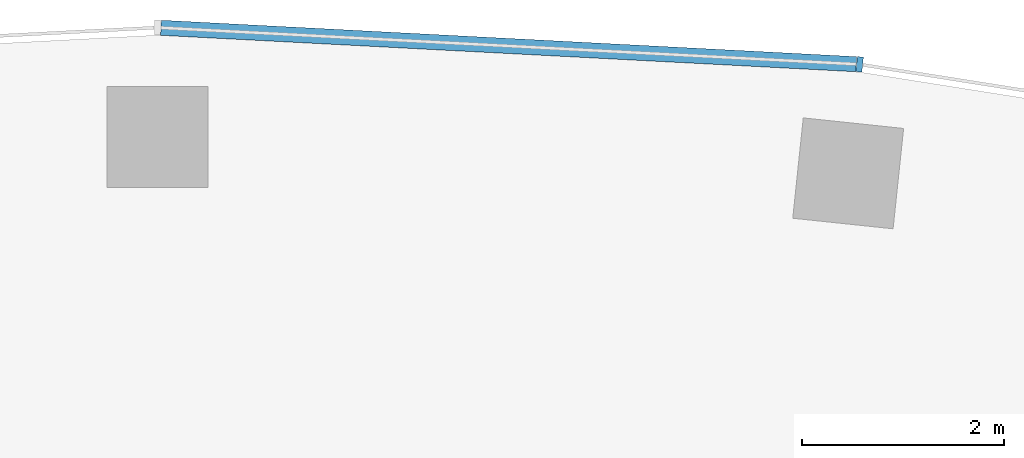
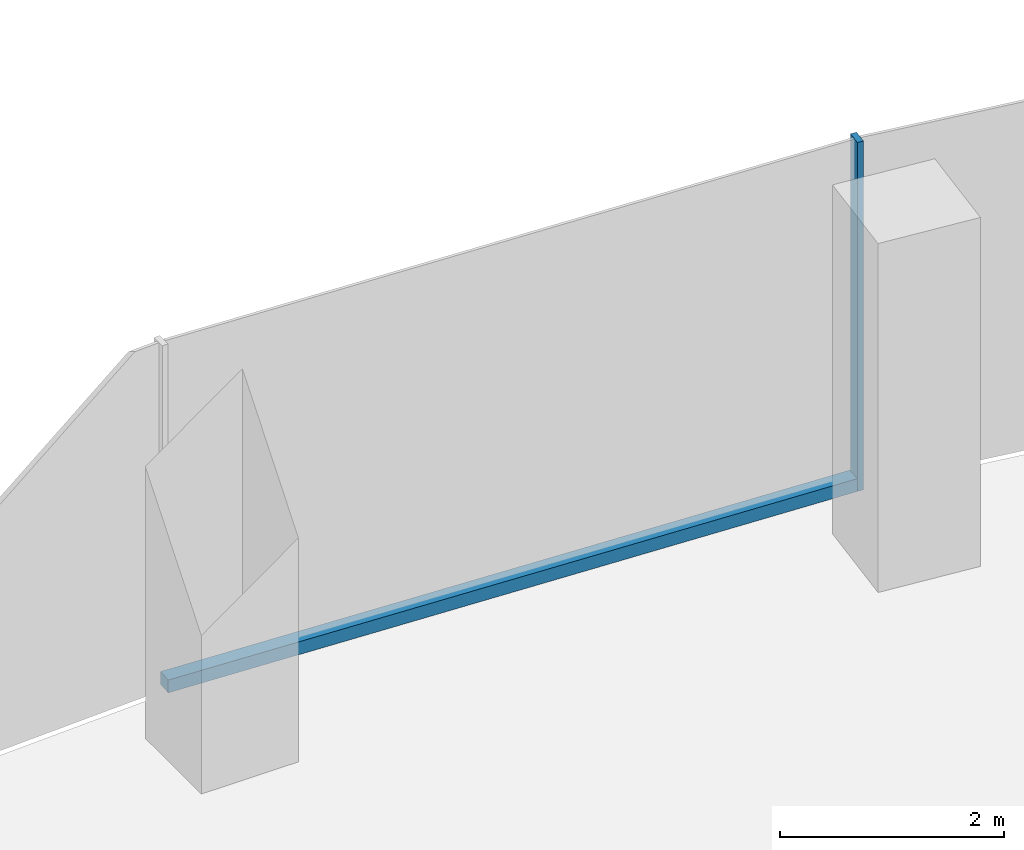
# One storey, part 7 of 20: 2 members, 1 element without a shape of its own.
"""IFC4 building model written with IfcOpenShell, lengths in metres."""

from ifc_helpers import new_model, si_unit, direction, frame, origin, origin_2d, place, context, subcontext, project, spatial, rectangle, extrude, material, layer, layer_set, material_profile, profile_set, type_object, element, aggregate, save


model = new_model("IFC4")

# Units and contexts
model_context = context("Model", 3, precision=1e-05, world=origin(), true_north=direction((0.0, 1.0)))
body_context = subcontext(model_context, "Body", "Model", "MODEL_VIEW")
ifc_project = project(units=[si_unit("LENGTHUNIT", "METRE"), si_unit("AREAUNIT", "SQUARE_METRE"), si_unit("VOLUMEUNIT", "CUBIC_METRE"), si_unit("PLANEANGLEUNIT", "RADIAN"), si_unit("MASSUNIT", "GRAM", prefix="KILO")], contexts=[model_context])

# Site, building, storey
site_placement = place(None, origin())
site = spatial("IfcSite", under=ifc_project, at=site_placement, CompositionType="ELEMENT")
building_placement = place(site_placement, origin())
building = spatial("IfcBuilding", under=site, at=building_placement, Name="Stone Belt Terrace Tower", CompositionType="ELEMENT")
storey_placement = place(building_placement, frame((0.0, 0.0, 182.0)))
storey = spatial("IfcBuildingStorey", under=building, at=storey_placement, Name="L44", CompositionType="ELEMENT", Elevation=182.0)

# Curtain wall, members
ifc_material = material(Name="Aluminium 6063-T6 anodised frame", Category="aluminium")
ifc_layer = layer(ifc_material, 0.14990234375)
ifc_layer_set = layer_set([ifc_layer], Name="CW-A unitised convex-face curtain wall")
curtain_wall_type = type_object("IfcCurtainWallType", Name="CW-A unitised convex-face curtain wall", PredefinedType="NOTDEFINED", material=ifc_layer_set)
curtain_wall_placement = place(storey_placement, origin())
curtain_wall = element("IfcCurtainWall", 1, at=curtain_wall_placement, inside=storey, type_object=curtain_wall_type, Name="CW-A convex face L44", PredefinedType="NOTDEFINED")
ifc_material_profile_1 = material_profile(ifc_material, rectangle(XDim=0.14990234375, YDim=0.06005859375, at=origin_2d()), Name="Aluminium 6063-T6 60x150")
ifc_profile_set_1 = profile_set([ifc_material_profile_1], Name="Aluminium 6063-T6 anodised frame")
member_type_1 = type_object("IfcMemberType", Name="CW-A mullion 60 x 150", PredefinedType="MULLION", material=ifc_profile_set_1)
member_1_placement = place(storey_placement, frame((6.958984375, 66.21044921875, 0.0), z_axis=(0.0, 0.0, 1.0), x_axis=(-0.104528463268, -0.994521895368, 0.0)))
member_1 = element("IfcMember", 2, at=member_1_placement, type_object=member_type_1, Name="CW-A mullion 7", PredefinedType="MULLION", context=body_context, shape_type="SweptSolid", body=[
    extrude(rectangle(XDim=0.14990234375, YDim=0.06005859375, at=origin_2d()), origin(), (0.0, 0.0, 1.0), 3.800048828125),
])
ifc_material_profile_2 = material_profile(ifc_material, rectangle(XDim=0.14990234375, YDim=0.139892578125, at=origin_2d()), Name="Aluminium 6063-T6 150x140")
ifc_profile_set_2 = profile_set([ifc_material_profile_2], Name="Aluminium 6063-T6 anodised frame")
member_type_2 = type_object("IfcMemberType", Name="CW-A transom 140 x 150", PredefinedType="USERDEFINED", material=ifc_profile_set_2)
member_2_placement = place(storey_placement, frame((6.925048828125, 66.212158203125, 0.070068359375), z_axis=(-0.998630019135, 0.052326712899, 0.0), x_axis=(-0.052326712899, -0.998630019135, 0.0)))
member_2 = element("IfcMember", 3, at=member_2_placement, type_object=member_type_2, Name="CW-A transom 7.1", ObjectType="TRANSOM", PredefinedType="USERDEFINED", context=body_context, shape_type="SweptSolid", body=[
    extrude(rectangle(XDim=0.14990234375, YDim=0.139892578125, at=origin_2d()), origin(), (0.0, 0.0, 1.0), 6.900634765625),
])
aggregate(curtain_wall, [member_1, member_2])

save(model, "model.ifc")
